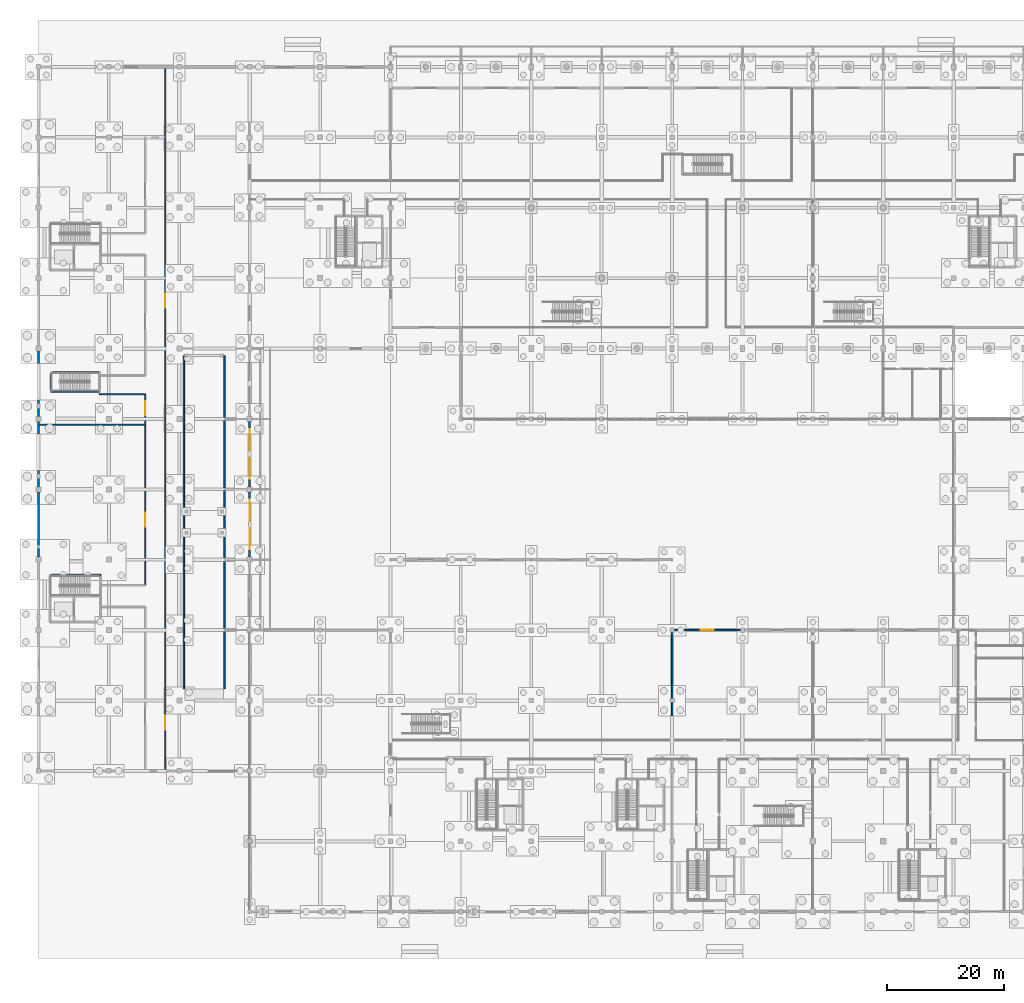
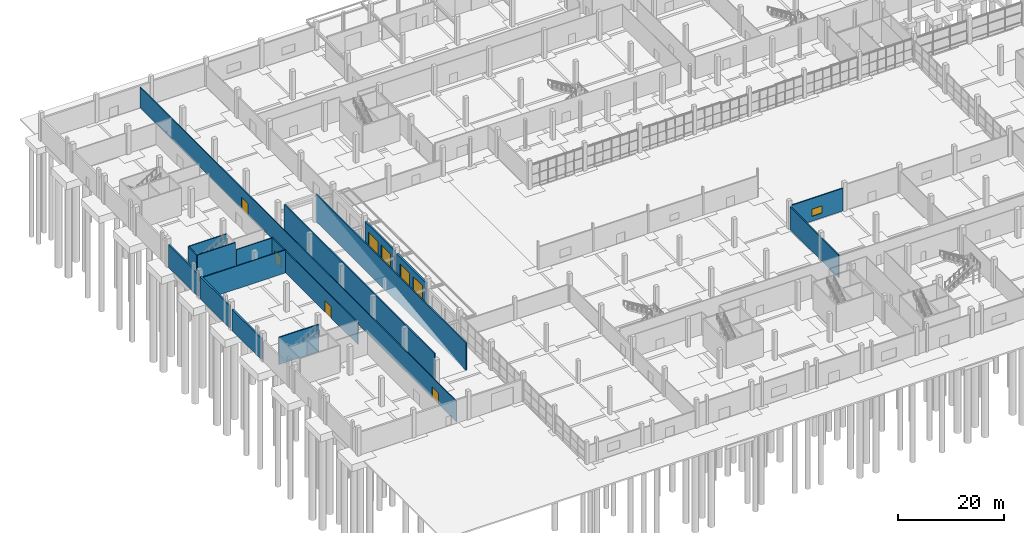
# One storey, part 85 of 117: 17 walls, 8 doors, 1 window, 9 openings.
"""IFC4 building model written with IfcOpenShell, lengths in metres."""

from ifc_helpers import new_model, si_unit, direction, frame, frame_2d, origin, place, context, subcontext, project, spatial, rectangle, extrude, material, layer, layer_set, type_object, element, fill, save


model = new_model("IFC4")

# Units and contexts
model_context = context("Model", 3, precision=1e-05, world=origin(), true_north=direction((0.0, 1.0)))
body_context = subcontext(model_context, "Body", "Model", "MODEL_VIEW")
ifc_project = project(units=[si_unit("LENGTHUNIT", "METRE"), si_unit("AREAUNIT", "SQUARE_METRE"), si_unit("VOLUMEUNIT", "CUBIC_METRE"), si_unit("PLANEANGLEUNIT", "RADIAN"), si_unit("MASSUNIT", "GRAM", prefix="KILO")], contexts=[model_context])

# Site, building, storey
site_placement = place(None, origin())
site = spatial("IfcSite", under=ifc_project, at=site_placement, CompositionType="ELEMENT")
building_placement = place(site_placement, origin())
building = spatial("IfcBuilding", under=site, at=building_placement, Name="Kamomehara Wholesale Market", CompositionType="ELEMENT")
storey_placement = place(building_placement, origin())
storey = spatial("IfcBuildingStorey", under=building, at=storey_placement, Name="L00", CompositionType="ELEMENT", Elevation=0.0)

# Walls
ifc_material_1 = material(Name="Polyurethane insulated metal panel")
ifc_layer_1 = layer(ifc_material_1, 0.360107421875)
ifc_layer_set_1 = layer_set([ifc_layer_1], Name="Polyurethane insulated metal panel")
wall_type_1 = type_object("IfcWallType", Name="EW-CLD-360", PredefinedType="SOLIDWALL", material=ifc_layer_set_1)
wall_1_placement = place(storey_placement, frame((0.0, 72.425048828125, 0.0), z_axis=(0.0, 0.0, 1.0), x_axis=(0.0, 1.0, 0.0)))
element("IfcWall", 1, at=wall_1_placement, inside=storey, type_object=wall_type_1, Name="Exterior wall EW-CLD-360 4", PredefinedType="SOLIDWALL", context=body_context, shape_type="SweptSolid", body=[
    extrude(rectangle(XDim=11.14990234375, YDim=0.360107421875, at=frame_2d((5.574951171875, 0.0))), origin(), (0.0, 0.0, 1.0), 4.85791015625),
])
wall_2_placement = place(storey_placement, frame((0.0, 84.425048828125, 0.0), z_axis=(0.0, 0.0, 1.0), x_axis=(0.0, 1.0, 0.0)))
element("IfcWall", 2, at=wall_2_placement, inside=storey, type_object=wall_type_1, Name="Exterior wall EW-CLD-360 5", PredefinedType="SOLIDWALL", context=body_context, shape_type="SweptSolid", body=[
    extrude(rectangle(XDim=11.14990234375, YDim=0.360107421875, at=frame_2d((5.574951171875, 0.0))), origin(), (0.0, 0.0, 1.0), 5.137939453125),
])
wall_3_placement = place(storey_placement, frame((0.0, 96.425048828125, 0.0), z_axis=(0.0, 0.0, 1.0), x_axis=(0.0, 1.0, 0.0)))
element("IfcWall", 3, at=wall_3_placement, inside=storey, type_object=wall_type_1, Name="Exterior wall EW-CLD-360 6", PredefinedType="SOLIDWALL", context=body_context, shape_type="SweptSolid", body=[
    extrude(rectangle(XDim=11.14990234375, YDim=0.360107421875, at=frame_2d((5.574951171875, 0.0))), origin(), (0.0, 0.0, 1.0), 5.238037109375),
])

# Wall, openings, doors
wall_4_placement = place(storey_placement, frame((36.0, 83.574951171875, 0.0), z_axis=(0.0, 0.0, 1.0), x_axis=(0.0, -1.0, 0.0)))
wall_4 = element("IfcWall", 4, at=wall_4_placement, inside=storey, type_object=wall_type_1, Name="Exterior wall EW-CLD-360 18", PredefinedType="SOLIDWALL", context=body_context, shape_type="SweptSolid", body=[
    extrude(rectangle(XDim=11.14990234375, YDim=0.360107421875, at=frame_2d((5.574951171875, 0.0))), origin(), (0.0, 0.0, 1.0), 5.087890625),
])
opening_1_placement = place(wall_4_placement, frame((1.375, 0.0, 0.0)))
opening_1 = element("IfcOpeningElement", 5, at=opening_1_placement, cuts=wall_4, Name="Opening DK-04", PredefinedType="OPENING", context=body_context, shape_type="SweptSolid", body=[
    extrude(rectangle(XDim=3.60009765625, YDim=3.60009765625, at=frame_2d((1.800048828125, 1.800048828125))), frame((0.0, 0.19482421875, 0.0), z_axis=(0.0, -1.0, 0.0), x_axis=(1.0, 0.0, 0.0)), (0.0, 0.0, 1.0), 0.389892578125),
])
opening_2_placement = place(wall_4_placement, frame((6.175048828125, 0.0, 0.0)))
opening_2 = element("IfcOpeningElement", 6, at=opening_2_placement, cuts=wall_4, Name="Opening DK-03", PredefinedType="OPENING", context=body_context, shape_type="SweptSolid", body=[
    extrude(rectangle(XDim=3.60009765625, YDim=3.60009765625, at=frame_2d((1.800048828125, 1.800048828125))), frame((0.0, 0.19482421875, 0.0), z_axis=(0.0, -1.0, 0.0), x_axis=(1.0, 0.0, 0.0)), (0.0, 0.0, 1.0), 0.389892578125),
])
ifc_material_2 = material(Name="Steel SN400B", Category="steel")
door_type_1 = type_object("IfcDoorType", Name="EDR-DK-4000x4200", OperationType="ROLLINGUP", PredefinedType="GATE", material=ifc_material_2)
door_1_placement = place(opening_1_placement, origin())
door_1 = element("IfcDoor", 7, at=door_1_placement, inside=storey, type_object=door_type_1, Name="Cold dock roller shutter DK-04", OperationType="ROLLINGUP", OverallHeight=3.60009765625, OverallWidth=3.60009765625, PredefinedType="GATE", context=body_context, shape_type="SweptSolid", body=[
    extrude(rectangle(XDim=3.60009765625, YDim=3.60009765625, at=frame_2d((1.800048828125, 1.800048828125))), frame((0.0, 0.02490234375, 0.0), z_axis=(0.0, -1.0, 0.0), x_axis=(1.0, 0.0, 0.0)), (0.0, 0.0, 1.0), 0.050048828125),
])
fill(opening_1, door_1)
door_2_placement = place(opening_2_placement, origin())
door_2 = element("IfcDoor", 8, at=door_2_placement, inside=storey, type_object=door_type_1, Name="Cold dock roller shutter DK-03", OperationType="ROLLINGUP", OverallHeight=3.60009765625, OverallWidth=3.60009765625, PredefinedType="GATE", context=body_context, shape_type="SweptSolid", body=[
    extrude(rectangle(XDim=3.60009765625, YDim=3.60009765625, at=frame_2d((1.800048828125, 1.800048828125))), frame((0.0, 0.02490234375, 0.0), z_axis=(0.0, -1.0, 0.0), x_axis=(1.0, 0.0, 0.0)), (0.0, 0.0, 1.0), 0.050048828125),
])
fill(opening_2, door_2)

wall_5_placement = place(storey_placement, frame((36.0, 95.574951171875, 0.0), z_axis=(0.0, 0.0, 1.0), x_axis=(0.0, -1.0, 0.0)))
wall_5 = element("IfcWall", 9, at=wall_5_placement, inside=storey, type_object=wall_type_1, Name="Exterior wall EW-CLD-360 19", PredefinedType="SOLIDWALL", context=body_context, shape_type="SweptSolid", body=[
    extrude(rectangle(XDim=11.14990234375, YDim=0.360107421875, at=frame_2d((5.574951171875, 0.0))), origin(), (0.0, 0.0, 1.0), 5.2880859375),
])
opening_3_placement = place(wall_5_placement, frame((1.375, 0.0, 0.0)))
opening_3 = element("IfcOpeningElement", 10, at=opening_3_placement, cuts=wall_5, Name="Opening DK-06", PredefinedType="OPENING", context=body_context, shape_type="SweptSolid", body=[
    extrude(rectangle(XDim=3.60009765625, YDim=3.60009765625, at=frame_2d((1.800048828125, 1.800048828125))), frame((0.0, 0.19482421875, 0.0), z_axis=(0.0, -1.0, 0.0), x_axis=(1.0, 0.0, 0.0)), (0.0, 0.0, 1.0), 0.389892578125),
])
opening_4_placement = place(wall_5_placement, frame((6.175048828125, 0.0, 0.0)))
opening_4 = element("IfcOpeningElement", 11, at=opening_4_placement, cuts=wall_5, Name="Opening DK-05", PredefinedType="OPENING", context=body_context, shape_type="SweptSolid", body=[
    extrude(rectangle(XDim=3.60009765625, YDim=3.60009765625, at=frame_2d((1.800048828125, 1.800048828125))), frame((0.0, 0.19482421875, 0.0), z_axis=(0.0, -1.0, 0.0), x_axis=(1.0, 0.0, 0.0)), (0.0, 0.0, 1.0), 0.389892578125),
])
door_3_placement = place(opening_3_placement, origin())
door_3 = element("IfcDoor", 12, at=door_3_placement, inside=storey, type_object=door_type_1, Name="Cold dock roller shutter DK-06", OperationType="ROLLINGUP", OverallHeight=3.60009765625, OverallWidth=3.60009765625, PredefinedType="GATE", context=body_context, shape_type="SweptSolid", body=[
    extrude(rectangle(XDim=3.60009765625, YDim=3.60009765625, at=frame_2d((1.800048828125, 1.800048828125))), frame((0.0, 0.02490234375, 0.0), z_axis=(0.0, -1.0, 0.0), x_axis=(1.0, 0.0, 0.0)), (0.0, 0.0, 1.0), 0.050048828125),
])
fill(opening_3, door_3)
door_4_placement = place(opening_4_placement, origin())
door_4 = element("IfcDoor", 13, at=door_4_placement, inside=storey, type_object=door_type_1, Name="Cold dock roller shutter DK-05", OperationType="ROLLINGUP", OverallHeight=3.60009765625, OverallWidth=3.60009765625, PredefinedType="GATE", context=body_context, shape_type="SweptSolid", body=[
    extrude(rectangle(XDim=3.60009765625, YDim=3.60009765625, at=frame_2d((1.800048828125, 1.800048828125))), frame((0.0, 0.02490234375, 0.0), z_axis=(0.0, -1.0, 0.0), x_axis=(1.0, 0.0, 0.0)), (0.0, 0.0, 1.0), 0.050048828125),
])
fill(opening_4, door_4)

# Wall, opening, window
ifc_material_3 = material(Name="Precast concrete Fc45 (C40/50)", Category="concrete")
ifc_layer_2 = layer(ifc_material_3, 0.239990234375)
ifc_layer_set_2 = layer_set([ifc_layer_2], Name="Precast concrete Fc45 (C40/50)")
wall_type_2 = type_object("IfcWallType", Name="EW-PC-240", PredefinedType="SOLIDWALL", material=ifc_layer_set_2)
wall_6_placement = place(storey_placement, frame((108.375, 60.0, 0.0), z_axis=(0.0, 0.0, 1.0), x_axis=(1.0, 0.0, 0.0)))
wall_6 = element("IfcWall", 14, at=wall_6_placement, inside=storey, type_object=wall_type_2, Name="Exterior wall EW-PC-240 94", PredefinedType="SOLIDWALL", context=body_context, shape_type="SweptSolid", body=[
    extrude(rectangle(XDim=11.25, YDim=0.239990234375, at=frame_2d((5.625, 0.0))), origin(), (0.0, 0.0, 1.0), 5.23291015625),
])
opening_5_placement = place(wall_6_placement, frame((4.52490234375, 0.0, 1.10009765625)))
opening_5 = element("IfcOpeningElement", 15, at=opening_5_placement, cuts=wall_6, Name="Opening WN-L00-016", PredefinedType="OPENING", context=body_context, shape_type="SweptSolid", body=[
    extrude(rectangle(XDim=2.199951171875, YDim=1.64990234375, at=frame_2d((1.10009765625, 0.824951171875))), frame((0.0, 0.134765625, 0.0), z_axis=(0.0, -1.0, 0.0), x_axis=(1.0, 0.0, 0.0)), (0.0, 0.0, 1.0), 0.269775390625),
])
ifc_material_4 = material(Name="Solar-control Low-E double glazing", Category="glass")
window_type = type_object("IfcWindowType", Name="WIN-2200x1650", PartitioningType="SINGLE_PANEL", PredefinedType="WINDOW", material=ifc_material_4)
window_placement = place(opening_5_placement, origin())
window = element("IfcWindow", 16, at=window_placement, inside=storey, type_object=window_type, Name="Exterior window WN-L00-016", OverallHeight=1.64990234375, OverallWidth=2.199951171875, PartitioningType="SINGLE_PANEL", PredefinedType="WINDOW", context=body_context, shape_type="SweptSolid", body=[
    extrude(rectangle(XDim=2.199951171875, YDim=1.64990234375, at=frame_2d((1.10009765625, 0.824951171875))), frame((0.0, 0.030029296875, 0.0), z_axis=(0.0, -1.0, 0.0), x_axis=(1.0, 0.0, 0.0)), (0.0, 0.0, 1.0), 0.06005859375),
])
fill(opening_5, window)

# Wall, openings, doors
ifc_material_5 = material(Name="Gypsum board partition")
ifc_layer_3 = layer(ifc_material_5, 0.199951171875)
ifc_layer_set_3 = layer_set([ifc_layer_3], Name="Gypsum board partition")
wall_type_3 = type_object("IfcWallType", Name="IW-PRT-200", PredefinedType="PARTITIONING", material=ifc_layer_set_3)
wall_7_placement = place(storey_placement, frame((18.199951171875, 67.64990234375, 0.0), z_axis=(0.0, 0.0, 1.0), x_axis=(0.0, 1.0, 0.0)))
wall_7 = element("IfcWall", 17, at=wall_7_placement, inside=storey, type_object=wall_type_3, Name="Interior wall IW-PRT-200 230", PredefinedType="PARTITIONING", context=body_context, shape_type="SweptSolid", body=[
    extrude(rectangle(XDim=32.550048828125, YDim=0.199951171875, at=frame_2d((16.27490234375, 0.0))), origin(), (0.0, 0.0, 1.0), 5.04296875),
])
opening_6_placement = place(wall_7_placement, frame((10.0, 0.0, 0.0)))
opening_6 = element("IfcOpeningElement", 18, at=opening_6_placement, cuts=wall_7, Name="Opening ID-L00-139", PredefinedType="OPENING", context=body_context, shape_type="SweptSolid", body=[
    extrude(rectangle(XDim=2.39990234375, YDim=2.60009765625, at=frame_2d((1.199951171875, 1.300048828125))), frame((0.0, 0.11474609375, 0.0), z_axis=(0.0, -1.0, 0.0), x_axis=(1.0, 0.0, 0.0)), (0.0, 0.0, 1.0), 0.229736328125),
])
opening_7_placement = place(wall_7_placement, frame((29.0, 0.0, 0.0)))
opening_7 = element("IfcOpeningElement", 19, at=opening_7_placement, cuts=wall_7, Name="Opening ID-L00-140", PredefinedType="OPENING", context=body_context, shape_type="SweptSolid", body=[
    extrude(rectangle(XDim=2.39990234375, YDim=2.60009765625, at=frame_2d((1.199951171875, 1.300048828125))), frame((0.0, 0.11474609375, 0.0), z_axis=(0.0, -1.0, 0.0), x_axis=(1.0, 0.0, 0.0)), (0.0, 0.0, 1.0), 0.229736328125),
])
ifc_material_6 = material(Name="Steel SN400B", Category="steel")
door_type_2 = type_object("IfcDoorType", Name="IDR-CL-2400x2600", OperationType="NOTDEFINED", PredefinedType="DOOR", material=ifc_material_6)
door_5_placement = place(opening_6_placement, origin())
door_5 = element("IfcDoor", 20, at=door_5_placement, inside=storey, type_object=door_type_2, Name="Interior door ID-L00-139", OperationType="SINGLE_SWING_LEFT", OverallHeight=2.60009765625, OverallWidth=2.39990234375, PredefinedType="DOOR", context=body_context, shape_type="SweptSolid", body=[
    extrude(rectangle(XDim=2.39990234375, YDim=2.60009765625, at=frame_2d((1.199951171875, 1.300048828125))), frame((0.0, 0.02490234375, 0.0), z_axis=(0.0, -1.0, 0.0), x_axis=(1.0, 0.0, 0.0)), (0.0, 0.0, 1.0), 0.050048828125),
])
fill(opening_6, door_5)
door_6_placement = place(opening_7_placement, origin())
door_6 = element("IfcDoor", 21, at=door_6_placement, inside=storey, type_object=door_type_2, Name="Interior door ID-L00-140", OperationType="SINGLE_SWING_RIGHT", OverallHeight=2.60009765625, OverallWidth=2.39990234375, PredefinedType="DOOR", context=body_context, shape_type="SweptSolid", body=[
    extrude(rectangle(XDim=2.39990234375, YDim=2.60009765625, at=frame_2d((1.199951171875, 1.300048828125))), frame((0.0, 0.02490234375, 0.0), z_axis=(0.0, -1.0, 0.0), x_axis=(1.0, 0.0, 0.0)), (0.0, 0.0, 1.0), 0.050048828125),
])
fill(opening_7, door_6)

# Walls
wall_8_placement = place(storey_placement, frame((10.39990234375, 100.199951171875, 0.0), z_axis=(0.0, 0.0, 1.0), x_axis=(1.0, 0.0, 0.0)))
element("IfcWall", 22, at=wall_8_placement, inside=storey, type_object=wall_type_3, Name="Interior wall IW-PRT-200 231", PredefinedType="PARTITIONING", context=body_context, shape_type="SweptSolid", body=[
    extrude(rectangle(XDim=7.800048828125, YDim=0.199951171875, at=frame_2d((3.89990234375, 0.0))), origin(), (0.0, 0.0, 1.0), 4.89306640625),
])
wall_9_placement = place(storey_placement, frame((0.179931640625, 95.0, 0.0), z_axis=(0.0, 0.0, 1.0), x_axis=(1.0, 0.0, 0.0)))
element("IfcWall", 23, at=wall_9_placement, inside=storey, type_object=wall_type_3, Name="Interior wall IW-PRT-200 237", PredefinedType="PARTITIONING", context=body_context, shape_type="SweptSolid", body=[
    extrude(rectangle(XDim=18.02001953125, YDim=0.199951171875, at=frame_2d((9.010009765625, 0.0))), origin(), (0.0, 0.0, 1.0), 5.29296875),
])

# Wall, openings, doors
wall_10_placement = place(storey_placement, frame((21.60009765625, 36.179931640625, 0.0), z_axis=(0.0, 0.0, 1.0), x_axis=(0.0, 1.0, 0.0)))
wall_10 = element("IfcWall", 24, at=wall_10_placement, inside=storey, type_object=wall_type_3, Name="Interior wall IW-PRT-200 239", PredefinedType="PARTITIONING", context=body_context, shape_type="SweptSolid", body=[
    extrude(rectangle(XDim=119.64013671875, YDim=0.199951171875, at=frame_2d((59.820068359375, 0.0))), origin(), (0.0, 0.0, 1.0), 4.73291015625),
])
opening_8_placement = place(wall_10_placement, frame((6.800048828125, 0.0, 0.0)))
opening_8 = element("IfcOpeningElement", 25, at=opening_8_placement, cuts=wall_10, Name="Opening ID-L00-144", PredefinedType="OPENING", context=body_context, shape_type="SweptSolid", body=[
    extrude(rectangle(XDim=2.39990234375, YDim=2.60009765625, at=frame_2d((1.199951171875, 1.300048828125))), frame((0.0, 0.11474609375, 0.0), z_axis=(0.0, -1.0, 0.0), x_axis=(1.0, 0.0, 0.0)), (0.0, 0.0, 1.0), 0.229736328125),
])
opening_9_placement = place(wall_10_placement, frame((78.800048828125, 0.0, 0.0)))
opening_9 = element("IfcOpeningElement", 26, at=opening_9_placement, cuts=wall_10, Name="Opening ID-L00-145", PredefinedType="OPENING", context=body_context, shape_type="SweptSolid", body=[
    extrude(rectangle(XDim=2.39990234375, YDim=2.60009765625, at=frame_2d((1.199951171875, 1.300048828125))), frame((0.0, 0.11474609375, 0.0), z_axis=(0.0, -1.0, 0.0), x_axis=(1.0, 0.0, 0.0)), (0.0, 0.0, 1.0), 0.229736328125),
])
door_7_placement = place(opening_8_placement, origin())
door_7 = element("IfcDoor", 27, at=door_7_placement, inside=storey, type_object=door_type_2, Name="Interior door ID-L00-144", OperationType="SINGLE_SWING_RIGHT", OverallHeight=2.60009765625, OverallWidth=2.39990234375, PredefinedType="DOOR", context=body_context, shape_type="SweptSolid", body=[
    extrude(rectangle(XDim=2.39990234375, YDim=2.60009765625, at=frame_2d((1.199951171875, 1.300048828125))), frame((0.0, 0.02490234375, 0.0), z_axis=(0.0, -1.0, 0.0), x_axis=(1.0, 0.0, 0.0)), (0.0, 0.0, 1.0), 0.050048828125),
])
fill(opening_8, door_7)
door_8_placement = place(opening_9_placement, origin())
door_8 = element("IfcDoor", 28, at=door_8_placement, inside=storey, type_object=door_type_2, Name="Interior door ID-L00-145", OperationType="SINGLE_SWING_LEFT", OverallHeight=2.60009765625, OverallWidth=2.39990234375, PredefinedType="DOOR", context=body_context, shape_type="SweptSolid", body=[
    extrude(rectangle(XDim=2.39990234375, YDim=2.60009765625, at=frame_2d((1.199951171875, 1.300048828125))), frame((0.0, 0.02490234375, 0.0), z_axis=(0.0, -1.0, 0.0), x_axis=(1.0, 0.0, 0.0)), (0.0, 0.0, 1.0), 0.050048828125),
])
fill(opening_9, door_8)

# Walls
ifc_material_7 = material(Name="Concrete Fc36 (C35/45)", Category="concrete")
ifc_layer_4 = layer(ifc_material_7, 0.219970703125)
ifc_layer_set_4 = layer_set([ifc_layer_4], Name="Concrete Fc36 (C35/45)")
wall_type_4 = type_object("IfcWallType", Name="IW-SHR-220", PredefinedType="SHEAR", material=ifc_layer_set_4)
wall_11_placement = place(storey_placement, frame((2.110107421875, 103.9599609375, 0.0), z_axis=(0.0, 0.0, 1.0), x_axis=(0.0, -1.0, 0.0)))
element("IfcWall", 29, at=wall_11_placement, inside=storey, type_object=wall_type_4, Name="Interior wall IW-SHR-220 179", PredefinedType="SHEAR", context=body_context, shape_type="SweptSolid", body=[
    extrude(rectangle(XDim=3.300048828125, YDim=0.219970703125, at=frame_2d((1.64990234375, 0.0))), origin(), (0.0, 0.0, 1.0), 6.260009765625),
])
for number, where, z_axis, x_axis, name in (
    (30, (2.110107421875, 100.659912109375, 0.0), (0.0, 0.0, 1.0), (1.0, 0.0, 0.0), "Interior wall IW-SHR-220 180"),
    (31, (10.39990234375, 103.9599609375, 0.0), (0.0, 0.0, 1.0), (-1.0, 0.0, 0.0), "Interior wall IW-SHR-220 182"),
):
    element("IfcWall", number, at=place(storey_placement, frame(where, z_axis=z_axis, x_axis=x_axis)), inside=storey, type_object=wall_type_4, Name=name, PredefinedType="SHEAR", context=body_context, shape_type="SweptSolid", body=[
        extrude(rectangle(XDim=8.289794921875, YDim=0.219970703125, at=frame_2d((4.14501953125, 0.0))), origin(), (0.0, 0.0, 1.0), 6.260009765625),
    ])
ifc_material_8 = material(Name="Concrete Fc36 (C35/45)", Category="concrete")
ifc_layer_5 = layer(ifc_material_8, 0.239990234375)
ifc_layer_set_5 = layer_set([ifc_layer_5], Name="Concrete Fc36 (C35/45)")
wall_type_5 = type_object("IfcWallType", Name="IW-SHR-240", PredefinedType="SHEAR", material=ifc_layer_set_5)
wall_12_placement = place(storey_placement, frame((10.60009765625, 69.419921875, 0.0), z_axis=(0.0, 0.0, 1.0), x_axis=(-1.0, 0.0, 0.0)))
element("IfcWall", 32, at=wall_12_placement, inside=storey, type_object=wall_type_5, Name="Interior wall IW-SHR-240 25", PredefinedType="SHEAR", context=body_context, shape_type="SweptSolid", body=[
    extrude(rectangle(XDim=8.670166015625, YDim=0.239990234375, at=frame_2d((4.3349609375, 0.0))), origin(), (0.0, 0.0, 1.0), 6.260009765625),
])
wall_13_placement = place(storey_placement, frame((108.0, 41.199951171875, 0.0), z_axis=(0.0, 0.0, 1.0), x_axis=(0.0, 1.0, 0.0)))
element("IfcWall", 33, at=wall_13_placement, inside=storey, type_object=wall_type_5, Name="Interior wall IW-SHR-240 258", PredefinedType="SHEAR", context=body_context, shape_type="SweptSolid", body=[
    extrude(rectangle(XDim=18.400146484375, YDim=0.239990234375, at=frame_2d((9.2001953125, 0.0))), origin(), (0.0, 0.0, 1.0), 5.238037109375),
])
ifc_material_9 = material(Name="Concrete Fc36 (C35/45)", Category="concrete")
ifc_layer_6 = layer(ifc_material_9, 0.260009765625)
ifc_layer_set_6 = layer_set([ifc_layer_6], Name="Concrete Fc36 (C35/45)")
wall_type_6 = type_object("IfcWallType", Name="IW-SHR-260", PredefinedType="SHEAR", material=ifc_layer_set_6)
for number, where, z_axis, x_axis, name in (
    (34, (24.800048828125, 50.0, 0.0), (0.0, 0.0, 1.0), (0.0, 1.0, 0.0), "Interior wall IW-SHR-260 187"),
    (35, (31.699951171875, 50.0, 0.0), (0.0, 0.0, 1.0), (0.0, 1.0, 0.0), "Interior wall IW-SHR-260 188"),
):
    element("IfcWall", number, at=place(storey_placement, frame(where, z_axis=z_axis, x_axis=x_axis)), inside=storey, type_object=wall_type_6, Name=name, PredefinedType="SHEAR", context=body_context, shape_type="SweptSolid", body=[
        extrude(rectangle(XDim=56.800048828125, YDim=0.260009765625, at=frame_2d((28.39990234375, 0.0))), origin(), (0.0, 0.0, 1.0), 6.280029296875),
    ])

save(model, "model.ifc")
